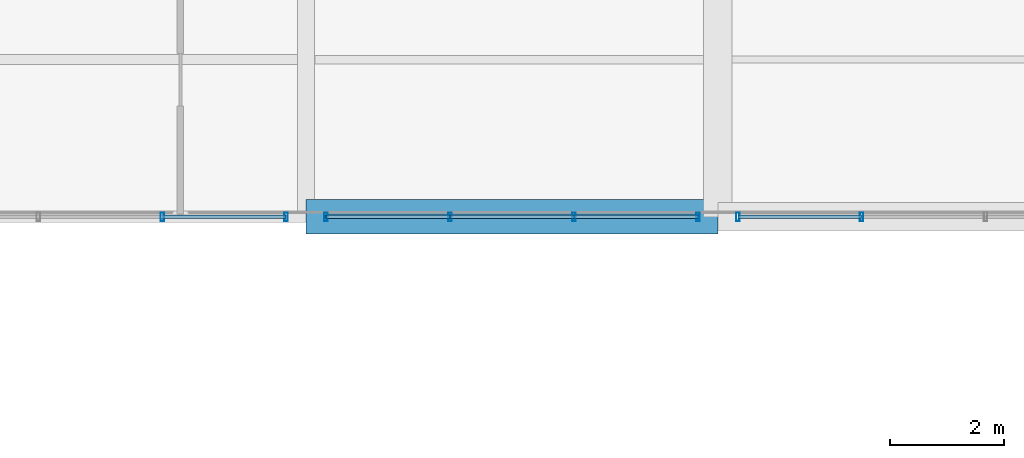
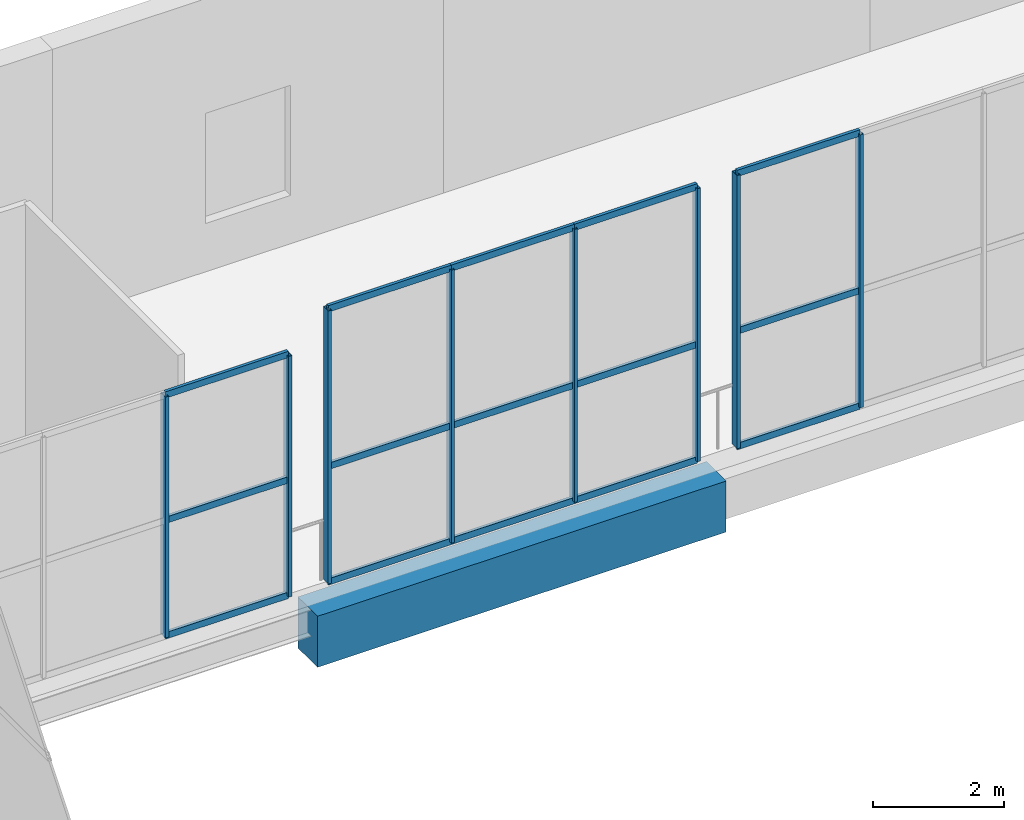
# One storey, part 94 of 141: 23 members, 1 beam, 3 elements without a shape of their own.
"""IFC4 building model written with IfcOpenShell, lengths in metres."""

import ifcopenshell
import ifcopenshell.guid

model = None  # the IFC model being written
_history = None  # IfcOwnerHistory: only IFC2X3 demands one
_inside = {}  # id of a spatial element -> (the spatial element, [elements in it])
_under = {}  # id of a project, library or spatial element -> (it, [spatial elements below it])
_declared = {}  # id of a project -> (the project, [libraries it declares])
_typed = {}  # id of a type object -> (the type object, [elements of that type])
_made_of = {}  # id of a material, layer set ... -> (it, [elements and type objects made of it])


def new_model(schema):
    """Start an empty IFC model of exactly this schema.

    Asked for "IFC4X3", IfcOpenShell would pick the latest addendum, in which some entities
    have other attributes; the version numbers below select the first issue.
    IFC2X3 requires an IfcOwnerHistory on every rooted entity: one is made here for all.
    """
    global model, _history
    if schema == "IFC4X3":
        model = ifcopenshell.file(schema_version=(4, 3, 0, 0))
    else:
        model = ifcopenshell.file(schema=schema)
    _inside.clear()
    _under.clear()
    _declared.clear()
    _typed.clear()
    _made_of.clear()
    _history = None
    if model.schema == "IFC2X3":
        org = make("IfcOrganization", Name="unknown")
        user = make(
            "IfcPersonAndOrganization",
            ThePerson=make("IfcPerson", FamilyName="unknown"),
            TheOrganization=org,
        )
        app = make(
            "IfcApplication",
            ApplicationDeveloper=org,
            Version="unknown",
            ApplicationFullName="unknown",
            ApplicationIdentifier="unknown",
        )
        _history = make(
            "IfcOwnerHistory",
            OwningUser=user,
            OwningApplication=app,
            ChangeAction="ADDED",
            CreationDate=0,
        )
    return model


def make(cls, **values):
    """One entity of the class cls with the attributes given. An attribute that is None is left unset."""
    return model.create_entity(
        cls, **{name: value for name, value in values.items() if value is not None}
    )


def rooted(cls, **values):
    """An entity with a GlobalId (a new one), such as an element, a storey or a relation."""
    return make(cls, GlobalId=ifcopenshell.guid.new(), OwnerHistory=_history, **values)


def si_unit(unit_type, name, prefix=None):
    """IfcSIUnit, for example si_unit("LENGTHUNIT", "METRE", prefix="MILLI")."""
    return make("IfcSIUnit", UnitType=unit_type, Prefix=prefix, Name=name)


def assignment(units):
    """IfcUnitAssignment: the units of a project."""
    return None if units is None else make("IfcUnitAssignment", Units=units)


def point(xyz):
    """IfcCartesianPoint."""
    return None if xyz is None else make("IfcCartesianPoint", Coordinates=xyz)


def direction(xyz):
    """IfcDirection."""
    return None if xyz is None else make("IfcDirection", DirectionRatios=xyz)


def frame(location, z_axis=None, x_axis=None):
    """IfcAxis2Placement3D, a coordinate frame: its origin and axes. An axis left out is left unset."""
    return make(
        "IfcAxis2Placement3D",
        Location=point(location),
        Axis=direction(z_axis),
        RefDirection=direction(x_axis),
    )


def frame_2d(location, x_axis=None):
    """IfcAxis2Placement2D, a coordinate frame in the plane: its origin and x axis."""
    return make(
        "IfcAxis2Placement2D", Location=point(location), RefDirection=direction(x_axis)
    )


def origin():
    """The frame at (0, 0, 0) with its axes left unset."""
    return frame((0.0, 0.0, 0.0))


def origin_2d():
    """The frame at (0, 0) in the plane with its x axis left unset."""
    return frame_2d((0.0, 0.0))


def place(relative_to, where):
    """IfcLocalPlacement: puts the frame where relative to a parent placement (None: the world)."""
    return make(
        "IfcLocalPlacement", PlacementRelTo=relative_to, RelativePlacement=where
    )


def context(
    kind, dimensions, precision=None, world=None, true_north=None, identifier=None
):
    """IfcGeometricRepresentationContext, for example the 3D "Model" context."""
    return make(
        "IfcGeometricRepresentationContext",
        ContextIdentifier=identifier,
        ContextType=kind,
        CoordinateSpaceDimension=dimensions,
        Precision=precision,
        WorldCoordinateSystem=world,
        TrueNorth=true_north,
    )


def subcontext(parent, identifier, kind, view, scale=None):
    """IfcGeometricRepresentationSubContext, for example "Body" below "Model"."""
    return make(
        "IfcGeometricRepresentationSubContext",
        ContextIdentifier=identifier,
        ContextType=kind,
        ParentContext=parent,
        TargetScale=scale,
        TargetView=view,
    )


def project(units=None, contexts=None):
    """IfcProject with its units and contexts."""
    return rooted(
        "IfcProject",
        Name="project",
        RepresentationContexts=contexts,
        UnitsInContext=assignment(units),
    )


def spatial(cls, under=None, at=None, **own):
    """A site, building, storey or space (cls), placed at a placement, below another one or the project."""
    s = rooted(cls, ObjectPlacement=at, **own)
    if under is not None:
        _under.setdefault(under.id(), (under, []))[1].append(s)
    return s


def profile(cls, at=None, kind="AREA", **sizes):
    """A parametric profile (cls). Its sizes go by their IFC names, for example OverallWidth=200.0."""
    return make(cls, ProfileType=kind, Position=at, **sizes)


def rectangle(**sizes):
    """IfcRectangleProfileDef."""
    return profile("IfcRectangleProfileDef", **sizes)


def hollow_rectangle(**sizes):
    """IfcRectangleHollowProfileDef."""
    return profile("IfcRectangleHollowProfileDef", **sizes)


def extrude(swept, where, along, depth):
    """IfcExtrudedAreaSolid: the profile swept, set in the frame where, extruded along a direction by depth."""
    return make(
        "IfcExtrudedAreaSolid",
        SweptArea=swept,
        Position=where,
        ExtrudedDirection=direction(along),
        Depth=depth,
    )


def shape(context_of_items, identifier, shape_type, items):
    """IfcShapeRepresentation: the items that make up one representation, for example the "Body"."""
    return make(
        "IfcShapeRepresentation",
        ContextOfItems=context_of_items,
        RepresentationIdentifier=identifier,
        RepresentationType=shape_type,
        Items=items,
    )


def material(Name=None, Category=None):
    """IfcMaterial."""
    return make("IfcMaterial", Name=Name, Category=Category)


def layer(
    of_material, thickness, ventilated=None, Name=None, Category=None, Priority=None
):
    """IfcMaterialLayer: one layer of a wall or slab, of a material (None: an air gap)."""
    return make(
        "IfcMaterialLayer",
        Material=of_material,
        LayerThickness=thickness,
        IsVentilated=ventilated,
        Name=Name,
        Category=Category,
        Priority=Priority,
    )


def layer_set(layers, Name=None):
    """IfcMaterialLayerSet."""
    return make("IfcMaterialLayerSet", MaterialLayers=layers, LayerSetName=Name)


def material_profile(
    of_material, cross_section, Name=None, Category=None, Priority=None
):
    """IfcMaterialProfile: a cross section and its material."""
    return make(
        "IfcMaterialProfile",
        Name=Name,
        Material=of_material,
        Profile=cross_section,
        Priority=Priority,
        Category=Category,
    )


def profile_set(profiles, Name=None, composite=None):
    """IfcMaterialProfileSet."""
    return make(
        "IfcMaterialProfileSet",
        Name=Name,
        MaterialProfiles=profiles,
        CompositeProfile=composite,
    )


def made_of(thing, what):
    """Note that an element or type object is made of a material, layer set ...; save() writes the relation."""
    if what is not None:
        _made_of.setdefault(what.id(), (what, []))[1].append(thing)
    return thing


def type_object(cls, material=None, **own):
    """A type object (cls), such as IfcWallType, which elements share."""
    return made_of(rooted(cls, **own), material)


def element(
    cls,
    number,
    at=None,
    inside=None,
    cuts=None,
    type_object=None,
    material=None,
    context=None,
    identifier="Body",
    shape_type=None,
    held_by="IfcProductDefinitionShape",
    body=None,
    shapes=None,
    **own,
):
    """One element of the class cls, such as IfcWall. Its Tag is "e" and its number.

    at: its placement. inside: the storey or other place that contains it. cuts: it is an
    opening in that element (IfcRelVoidsElement). A single representation is given by context,
    identifier, shape_type and body (its items); several are given by shapes. held_by: the class
    of the entity that holds the representations. save() writes the other relations.
    """
    e = rooted(cls, Tag="e%d" % number, ObjectPlacement=at, **own)
    if body is not None:
        shapes = [shape(context, identifier, shape_type, body)]
    if shapes is not None:
        e.Representation = make(held_by, Representations=shapes)
    if inside is not None:
        _inside.setdefault(inside.id(), (inside, []))[1].append(e)
    if cuts is not None:
        rooted(
            "IfcRelVoidsElement", RelatingBuildingElement=cuts, RelatedOpeningElement=e
        )
    if type_object is not None:
        _typed.setdefault(type_object.id(), (type_object, []))[1].append(e)
    return made_of(e, material)


def aggregate(whole, parts):
    """IfcRelAggregates: a whole, such as a stair, and the parts it consists of."""
    return rooted("IfcRelAggregates", RelatingObject=whole, RelatedObjects=parts)


def save(model, path):
    """Write the relations noted so far, then the file.

    IfcRelAggregates (storeys below a building ...), IfcRelContainedInSpatialStructure (elements
    in a storey), IfcRelDefinesByType, IfcRelAssociatesMaterial and IfcRelDeclares: one each for
    every whole, place, type object, material and project.
    """
    for whole, parts in _under.values():
        aggregate(whole, parts)
    for where, things in _inside.values():
        rooted(
            "IfcRelContainedInSpatialStructure",
            RelatedElements=things,
            RelatingStructure=where,
        )
    for kind, things in _typed.values():
        rooted("IfcRelDefinesByType", RelatedObjects=things, RelatingType=kind)
    for what, things in _made_of.values():
        rooted("IfcRelAssociatesMaterial", RelatedObjects=things, RelatingMaterial=what)
    for by, libraries in _declared.values():
        rooted("IfcRelDeclares", RelatingContext=by, RelatedDefinitions=libraries)
    model.write(path)


model = new_model("IFC4")

# Units and contexts
model_context = context("Model", 3, precision=1e-05, world=origin(), true_north=direction((0.0, 1.0)))
body_context = subcontext(model_context, "Body", "Model", "MODEL_VIEW")
ifc_project = project(units=[si_unit("LENGTHUNIT", "METRE"), si_unit("AREAUNIT", "SQUARE_METRE"), si_unit("VOLUMEUNIT", "CUBIC_METRE"), si_unit("PLANEANGLEUNIT", "RADIAN"), si_unit("MASSUNIT", "GRAM", prefix="KILO")], contexts=[model_context])

# Site, building, storey
site_placement = place(None, origin())
site = spatial("IfcSite", under=ifc_project, at=site_placement, CompositionType="ELEMENT")
building_placement = place(site_placement, origin())
building = spatial("IfcBuilding", under=site, at=building_placement, Name="Sundgate Opera House", CompositionType="ELEMENT")
storey_placement = place(building_placement, frame((0.0, 0.0, 11.39990234375)))
storey = spatial("IfcBuildingStorey", under=building, at=storey_placement, Name="L02", CompositionType="ELEMENT", Elevation=11.39990234375)

# Beam
ifc_material_1 = material(Name="Concrete C40/50", Category="concrete")
ifc_material_profile_1 = material_profile(ifc_material_1, rectangle(XDim=0.60009765625, YDim=0.949951171875, at=origin_2d()), Name="RC 600x950")
ifc_profile_set_1 = profile_set([ifc_material_profile_1], Name="Concrete C40/50")
beam_type = type_object("IfcBeamType", Name="BM-RC-600x950", PredefinedType="BEAM", material=ifc_profile_set_1)
beam_placement = place(storey_placement, frame((131.39990234375, 111.75, -0.824951171875), z_axis=(1.0, 0.0, 0.0), x_axis=(0.0, 1.0, 0.0)))
element("IfcBeam", 1, at=beam_placement, inside=storey, type_object=beam_type, Name="L02 Primary E-W Girder B2108", PredefinedType="BEAM", context=body_context, shape_type="SweptSolid", body=[
    extrude(rectangle(XDim=0.60009765625, YDim=0.949951171875, at=origin_2d()), origin(), (0.0, 0.0, 1.0), 7.2001953125),
])

# Curtain wall, members
ifc_material_2 = material(Name="Anodized aluminium and low-iron glass", Category="aluminium")
ifc_layer = layer(ifc_material_2, 0.159912109375)
ifc_layer_set = layer_set([ifc_layer], Name="Anodized aluminium and low-iron glass")
curtain_wall_type = type_object("IfcCurtainWallType", Name="CW-STUDIO-DARK", PredefinedType="NOTDEFINED", material=ifc_layer_set)
curtain_wall_1_placement = place(storey_placement, origin())
curtain_wall_1 = element("IfcCurtainWall", 2, at=curtain_wall_1_placement, inside=storey, type_object=curtain_wall_type, Name="L02 Curtain Wall CW109", PredefinedType="NOTDEFINED")
ifc_material_3 = material(Name="Anodized aluminium EN AW-6063", Category="aluminium")
ifc_material_profile_2 = material_profile(ifc_material_3, hollow_rectangle(XDim=0.06005859375, YDim=0.14990234375, WallThickness=0.00390625, at=origin_2d()), Name="CWM 150x60x4")
ifc_profile_set_2 = profile_set([ifc_material_profile_2], Name="Anodized aluminium EN AW-6063")
member_type_1 = type_object("IfcMemberType", Name="CWM-ALU-150x60", PredefinedType="MULLION", material=ifc_profile_set_2)
member_1_placement = place(storey_placement, frame((131.050048828125, 111.75, 0.0), z_axis=(0.0, 0.0, 1.0), x_axis=(1.0, 0.0, 0.0)))
member_1 = element("IfcMember", 3, at=member_1_placement, type_object=member_type_1, Name="CW109 Mullion 1", PredefinedType="MULLION", context=body_context, shape_type="SweptSolid", body=[
    extrude(hollow_rectangle(XDim=0.06005859375, YDim=0.14990234375, WallThickness=0.00390625, at=origin_2d()), origin(), (0.0, 0.0, 1.0), 4.485107421875),
])
member_2_placement = place(storey_placement, frame((128.88330078125, 111.75, 0.0), z_axis=(0.0, 0.0, 1.0), x_axis=(1.0, 0.0, 0.0)))
member_2 = element("IfcMember", 4, at=member_2_placement, type_object=member_type_1, Name="CW109 Mullion 2", PredefinedType="MULLION", context=body_context, shape_type="SweptSolid", body=[
    extrude(hollow_rectangle(XDim=0.06005859375, YDim=0.14990234375, WallThickness=0.00390625, at=origin_2d()), origin(), (0.0, 0.0, 1.0), 4.485107421875),
])

curtain_wall_2_placement = place(storey_placement, origin())
curtain_wall_2 = element("IfcCurtainWall", 5, at=curtain_wall_2_placement, inside=storey, type_object=curtain_wall_type, Name="L02 Curtain Wall CW111", PredefinedType="NOTDEFINED")
member_3_placement = place(storey_placement, frame((138.25, 111.75, 0.0), z_axis=(0.0, 0.0, 1.0), x_axis=(1.0, 0.0, 0.0)))
member_3 = element("IfcMember", 6, at=member_3_placement, type_object=member_type_1, Name="CW111 Mullion 1", PredefinedType="MULLION", context=body_context, shape_type="SweptSolid", body=[
    extrude(hollow_rectangle(XDim=0.06005859375, YDim=0.14990234375, WallThickness=0.00390625, at=origin_2d()), origin(), (0.0, 0.0, 1.0), 5.085205078125),
])
member_4_placement = place(storey_placement, frame((136.083251953125, 111.75, 0.0), z_axis=(0.0, 0.0, 1.0), x_axis=(1.0, 0.0, 0.0)))
member_4 = element("IfcMember", 7, at=member_4_placement, type_object=member_type_1, Name="CW111 Mullion 2", PredefinedType="MULLION", context=body_context, shape_type="SweptSolid", body=[
    extrude(hollow_rectangle(XDim=0.06005859375, YDim=0.14990234375, WallThickness=0.00390625, at=origin_2d()), origin(), (0.0, 0.0, 1.0), 5.085205078125),
])
member_5_placement = place(storey_placement, frame((133.916748046875, 111.75, 0.0), z_axis=(0.0, 0.0, 1.0), x_axis=(1.0, 0.0, 0.0)))
member_5 = element("IfcMember", 8, at=member_5_placement, type_object=member_type_1, Name="CW111 Mullion 3", PredefinedType="MULLION", context=body_context, shape_type="SweptSolid", body=[
    extrude(hollow_rectangle(XDim=0.06005859375, YDim=0.14990234375, WallThickness=0.00390625, at=origin_2d()), origin(), (0.0, 0.0, 1.0), 5.085205078125),
])
member_6_placement = place(storey_placement, frame((131.75, 111.75, 0.0), z_axis=(0.0, 0.0, 1.0), x_axis=(1.0, 0.0, 0.0)))
member_6 = element("IfcMember", 9, at=member_6_placement, type_object=member_type_1, Name="CW111 Mullion 4", PredefinedType="MULLION", context=body_context, shape_type="SweptSolid", body=[
    extrude(hollow_rectangle(XDim=0.06005859375, YDim=0.14990234375, WallThickness=0.00390625, at=origin_2d()), origin(), (0.0, 0.0, 1.0), 5.085205078125),
])

curtain_wall_3_placement = place(storey_placement, origin())
curtain_wall_3 = element("IfcCurtainWall", 10, at=curtain_wall_3_placement, inside=storey, type_object=curtain_wall_type, Name="L02 Curtain Wall CW113", PredefinedType="NOTDEFINED")
member_7_placement = place(storey_placement, frame((141.11669921875, 111.75, 0.0), z_axis=(0.0, 0.0, 1.0), x_axis=(1.0, 0.0, 0.0)))
member_7 = element("IfcMember", 11, at=member_7_placement, type_object=member_type_1, Name="CW113 Mullion 3", PredefinedType="MULLION", context=body_context, shape_type="SweptSolid", body=[
    extrude(hollow_rectangle(XDim=0.06005859375, YDim=0.14990234375, WallThickness=0.00390625, at=origin_2d()), origin(), (0.0, 0.0, 1.0), 5.085205078125),
])
member_8_placement = place(storey_placement, frame((138.949951171875, 111.75, 0.0), z_axis=(0.0, 0.0, 1.0), x_axis=(1.0, 0.0, 0.0)))
member_8 = element("IfcMember", 12, at=member_8_placement, type_object=member_type_1, Name="CW113 Mullion 4", PredefinedType="MULLION", context=body_context, shape_type="SweptSolid", body=[
    extrude(hollow_rectangle(XDim=0.06005859375, YDim=0.14990234375, WallThickness=0.00390625, at=origin_2d()), origin(), (0.0, 0.0, 1.0), 5.085205078125),
])

# Member
ifc_material_4 = material(Name="Anodized aluminium EN AW-6063", Category="aluminium")
ifc_material_profile_3 = material_profile(ifc_material_4, hollow_rectangle(XDim=0.054931640625, YDim=0.1201171875, WallThickness=0.00390625, at=origin_2d()), Name="CWT 120x55x4")
ifc_profile_set_3 = profile_set([ifc_material_profile_3], Name="Anodized aluminium EN AW-6063")
member_type_2 = type_object("IfcMemberType", Name="CWT-ALU-120x55", PredefinedType="USERDEFINED", material=ifc_profile_set_3)
member_9_placement = place(storey_placement, frame((131.050048828125, 111.75, 0.0), z_axis=(-1.0, 0.0, 0.0), x_axis=(0.0, -1.0, 0.0)))
member_9 = element("IfcMember", 13, at=member_9_placement, type_object=member_type_2, Name="CW109 Transom 1", ObjectType="TRANSOM", PredefinedType="USERDEFINED", context=body_context, shape_type="SweptSolid", body=[
    extrude(hollow_rectangle(XDim=0.054931640625, YDim=0.1201171875, WallThickness=0.00390625, at=origin_2d()), origin(), (0.0, 0.0, 1.0), 2.166748046875),
])

member_10_placement = place(storey_placement, frame((131.050048828125, 111.75, 2.150146484375), z_axis=(-1.0, 0.0, 0.0), x_axis=(0.0, -1.0, 0.0)))
member_10 = element("IfcMember", 14, at=member_10_placement, type_object=member_type_2, Name="CW109 Transom 2", ObjectType="TRANSOM", PredefinedType="USERDEFINED", context=body_context, shape_type="SweptSolid", body=[
    extrude(hollow_rectangle(XDim=0.054931640625, YDim=0.1201171875, WallThickness=0.00390625, at=origin_2d()), origin(), (0.0, 0.0, 1.0), 2.166748046875),
])

member_11_placement = place(storey_placement, frame((131.050048828125, 111.75, 4.485107421875), z_axis=(-1.0, 0.0, 0.0), x_axis=(0.0, -1.0, 0.0)))
member_11 = element("IfcMember", 15, at=member_11_placement, type_object=member_type_2, Name="CW109 Transom 3", ObjectType="TRANSOM", PredefinedType="USERDEFINED", context=body_context, shape_type="SweptSolid", body=[
    extrude(hollow_rectangle(XDim=0.054931640625, YDim=0.1201171875, WallThickness=0.00390625, at=origin_2d()), origin(), (0.0, 0.0, 1.0), 2.166748046875),
])

aggregate(curtain_wall_1, [member_1, member_2, member_9, member_10, member_11])

member_12_placement = place(storey_placement, frame((138.25, 111.75, 0.0), z_axis=(-1.0, 0.0, 0.0), x_axis=(0.0, -1.0, 0.0)))
member_12 = element("IfcMember", 16, at=member_12_placement, type_object=member_type_2, Name="CW111 Transom 1", ObjectType="TRANSOM", PredefinedType="USERDEFINED", context=body_context, shape_type="SweptSolid", body=[
    extrude(hollow_rectangle(XDim=0.054931640625, YDim=0.1201171875, WallThickness=0.00390625, at=origin_2d()), origin(), (0.0, 0.0, 1.0), 2.166748046875),
])

member_13_placement = place(storey_placement, frame((138.25, 111.75, 2.150146484375), z_axis=(-1.0, 0.0, 0.0), x_axis=(0.0, -1.0, 0.0)))
member_13 = element("IfcMember", 17, at=member_13_placement, type_object=member_type_2, Name="CW111 Transom 2", ObjectType="TRANSOM", PredefinedType="USERDEFINED", context=body_context, shape_type="SweptSolid", body=[
    extrude(hollow_rectangle(XDim=0.054931640625, YDim=0.1201171875, WallThickness=0.00390625, at=origin_2d()), origin(), (0.0, 0.0, 1.0), 2.166748046875),
])

member_14_placement = place(storey_placement, frame((138.25, 111.75, 5.085205078125), z_axis=(-1.0, 0.0, 0.0), x_axis=(0.0, -1.0, 0.0)))
member_14 = element("IfcMember", 18, at=member_14_placement, type_object=member_type_2, Name="CW111 Transom 3", ObjectType="TRANSOM", PredefinedType="USERDEFINED", context=body_context, shape_type="SweptSolid", body=[
    extrude(hollow_rectangle(XDim=0.054931640625, YDim=0.1201171875, WallThickness=0.00390625, at=origin_2d()), origin(), (0.0, 0.0, 1.0), 2.166748046875),
])

member_15_placement = place(storey_placement, frame((136.083251953125, 111.75, 0.0), z_axis=(-1.0, 0.0, 0.0), x_axis=(0.0, -1.0, 0.0)))
member_15 = element("IfcMember", 19, at=member_15_placement, type_object=member_type_2, Name="CW111 Transom 4", ObjectType="TRANSOM", PredefinedType="USERDEFINED", context=body_context, shape_type="SweptSolid", body=[
    extrude(hollow_rectangle(XDim=0.054931640625, YDim=0.1201171875, WallThickness=0.00390625, at=origin_2d()), origin(), (0.0, 0.0, 1.0), 2.16650390625),
])

member_16_placement = place(storey_placement, frame((136.083251953125, 111.75, 2.150146484375), z_axis=(-1.0, 0.0, 0.0), x_axis=(0.0, -1.0, 0.0)))
member_16 = element("IfcMember", 20, at=member_16_placement, type_object=member_type_2, Name="CW111 Transom 5", ObjectType="TRANSOM", PredefinedType="USERDEFINED", context=body_context, shape_type="SweptSolid", body=[
    extrude(hollow_rectangle(XDim=0.054931640625, YDim=0.1201171875, WallThickness=0.00390625, at=origin_2d()), origin(), (0.0, 0.0, 1.0), 2.16650390625),
])

member_17_placement = place(storey_placement, frame((136.083251953125, 111.75, 5.085205078125), z_axis=(-1.0, 0.0, 0.0), x_axis=(0.0, -1.0, 0.0)))
member_17 = element("IfcMember", 21, at=member_17_placement, type_object=member_type_2, Name="CW111 Transom 6", ObjectType="TRANSOM", PredefinedType="USERDEFINED", context=body_context, shape_type="SweptSolid", body=[
    extrude(hollow_rectangle(XDim=0.054931640625, YDim=0.1201171875, WallThickness=0.00390625, at=origin_2d()), origin(), (0.0, 0.0, 1.0), 2.16650390625),
])

member_18_placement = place(storey_placement, frame((133.916748046875, 111.75, 0.0), z_axis=(-1.0, 0.0, 0.0), x_axis=(0.0, -1.0, 0.0)))
member_18 = element("IfcMember", 22, at=member_18_placement, type_object=member_type_2, Name="CW111 Transom 7", ObjectType="TRANSOM", PredefinedType="USERDEFINED", context=body_context, shape_type="SweptSolid", body=[
    extrude(hollow_rectangle(XDim=0.054931640625, YDim=0.1201171875, WallThickness=0.00390625, at=origin_2d()), origin(), (0.0, 0.0, 1.0), 2.166748046875),
])

member_19_placement = place(storey_placement, frame((133.916748046875, 111.75, 2.150146484375), z_axis=(-1.0, 0.0, 0.0), x_axis=(0.0, -1.0, 0.0)))
member_19 = element("IfcMember", 23, at=member_19_placement, type_object=member_type_2, Name="CW111 Transom 8", ObjectType="TRANSOM", PredefinedType="USERDEFINED", context=body_context, shape_type="SweptSolid", body=[
    extrude(hollow_rectangle(XDim=0.054931640625, YDim=0.1201171875, WallThickness=0.00390625, at=origin_2d()), origin(), (0.0, 0.0, 1.0), 2.166748046875),
])

member_20_placement = place(storey_placement, frame((133.916748046875, 111.75, 5.085205078125), z_axis=(-1.0, 0.0, 0.0), x_axis=(0.0, -1.0, 0.0)))
member_20 = element("IfcMember", 24, at=member_20_placement, type_object=member_type_2, Name="CW111 Transom 9", ObjectType="TRANSOM", PredefinedType="USERDEFINED", context=body_context, shape_type="SweptSolid", body=[
    extrude(hollow_rectangle(XDim=0.054931640625, YDim=0.1201171875, WallThickness=0.00390625, at=origin_2d()), origin(), (0.0, 0.0, 1.0), 2.166748046875),
])

aggregate(curtain_wall_2, [member_3, member_4, member_5, member_6, member_12, member_13, member_14, member_15, member_16, member_17, member_18, member_19, member_20])

member_21_placement = place(storey_placement, frame((141.11669921875, 111.75, 0.0), z_axis=(-1.0, 0.0, 0.0), x_axis=(0.0, -1.0, 0.0)))
member_21 = element("IfcMember", 25, at=member_21_placement, type_object=member_type_2, Name="CW113 Transom 7", ObjectType="TRANSOM", PredefinedType="USERDEFINED", context=body_context, shape_type="SweptSolid", body=[
    extrude(hollow_rectangle(XDim=0.054931640625, YDim=0.1201171875, WallThickness=0.00390625, at=origin_2d()), origin(), (0.0, 0.0, 1.0), 2.166748046875),
])

member_22_placement = place(storey_placement, frame((141.11669921875, 111.75, 2.150146484375), z_axis=(-1.0, 0.0, 0.0), x_axis=(0.0, -1.0, 0.0)))
member_22 = element("IfcMember", 26, at=member_22_placement, type_object=member_type_2, Name="CW113 Transom 8", ObjectType="TRANSOM", PredefinedType="USERDEFINED", context=body_context, shape_type="SweptSolid", body=[
    extrude(hollow_rectangle(XDim=0.054931640625, YDim=0.1201171875, WallThickness=0.00390625, at=origin_2d()), origin(), (0.0, 0.0, 1.0), 2.166748046875),
])

member_23_placement = place(storey_placement, frame((141.11669921875, 111.75, 5.085205078125), z_axis=(-1.0, 0.0, 0.0), x_axis=(0.0, -1.0, 0.0)))
member_23 = element("IfcMember", 27, at=member_23_placement, type_object=member_type_2, Name="CW113 Transom 9", ObjectType="TRANSOM", PredefinedType="USERDEFINED", context=body_context, shape_type="SweptSolid", body=[
    extrude(hollow_rectangle(XDim=0.054931640625, YDim=0.1201171875, WallThickness=0.00390625, at=origin_2d()), origin(), (0.0, 0.0, 1.0), 2.166748046875),
])

aggregate(curtain_wall_3, [member_7, member_8, member_21, member_22, member_23])

save(model, "model.ifc")
